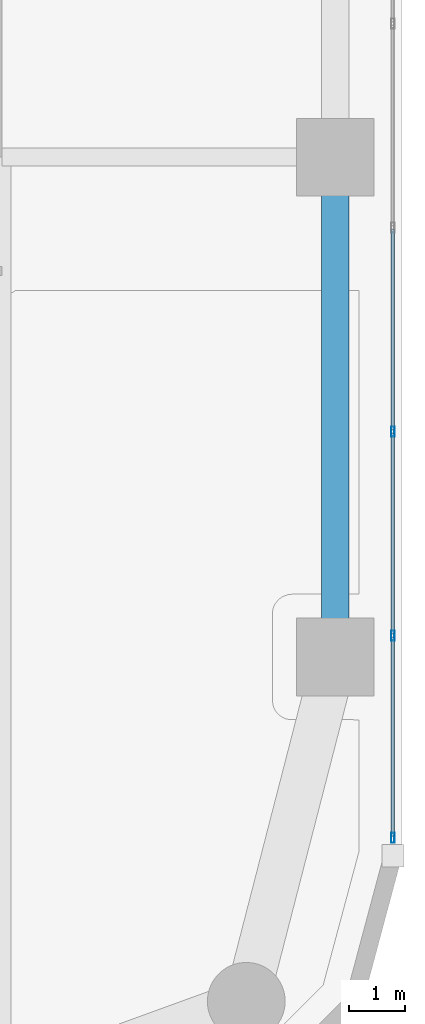
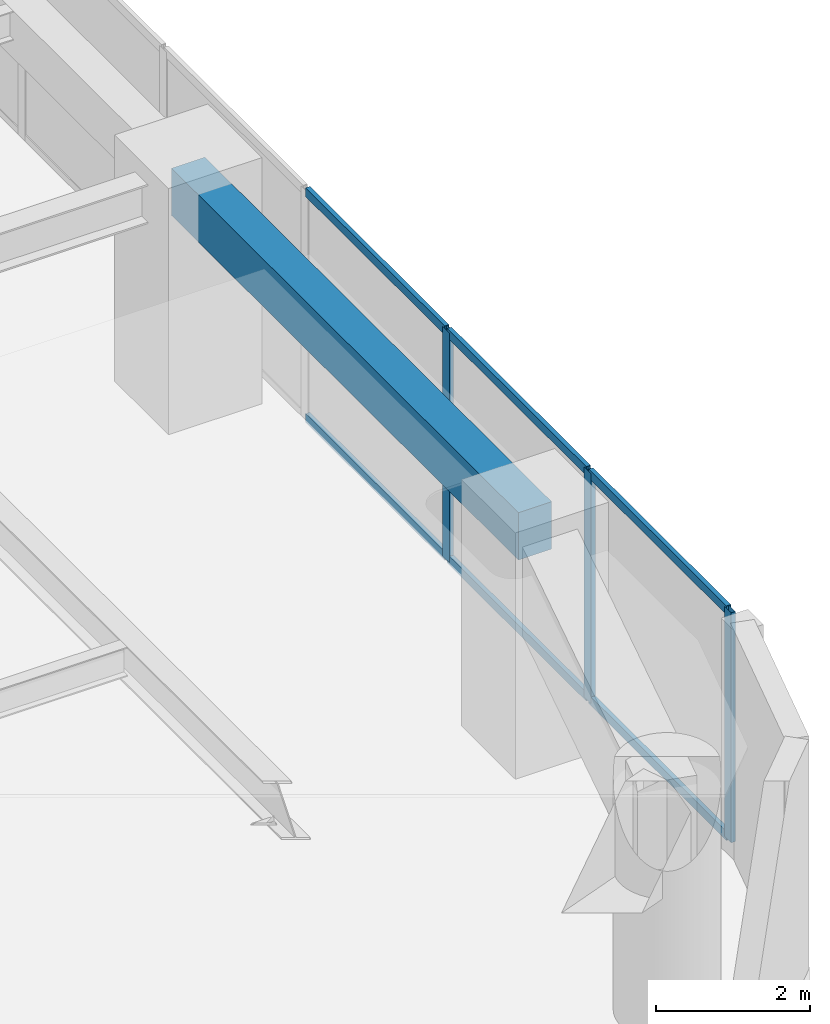
# One storey, part 4 of 24: 9 members, 1 beam, 1 element without a shape of its own.
"""IFC4 building model written with IfcOpenShell, lengths in metres."""

import ifcopenshell
import ifcopenshell.guid

model = None  # the IFC model being written
_history = None  # IfcOwnerHistory: only IFC2X3 demands one
_inside = {}  # id of a spatial element -> (the spatial element, [elements in it])
_under = {}  # id of a project, library or spatial element -> (it, [spatial elements below it])
_declared = {}  # id of a project -> (the project, [libraries it declares])
_typed = {}  # id of a type object -> (the type object, [elements of that type])
_made_of = {}  # id of a material, layer set ... -> (it, [elements and type objects made of it])


def new_model(schema):
    """Start an empty IFC model of exactly this schema.

    Asked for "IFC4X3", IfcOpenShell would pick the latest addendum, in which some entities
    have other attributes; the version numbers below select the first issue.
    IFC2X3 requires an IfcOwnerHistory on every rooted entity: one is made here for all.
    """
    global model, _history
    if schema == "IFC4X3":
        model = ifcopenshell.file(schema_version=(4, 3, 0, 0))
    else:
        model = ifcopenshell.file(schema=schema)
    _inside.clear()
    _under.clear()
    _declared.clear()
    _typed.clear()
    _made_of.clear()
    _history = None
    if model.schema == "IFC2X3":
        org = make("IfcOrganization", Name="unknown")
        user = make(
            "IfcPersonAndOrganization",
            ThePerson=make("IfcPerson", FamilyName="unknown"),
            TheOrganization=org,
        )
        app = make(
            "IfcApplication",
            ApplicationDeveloper=org,
            Version="unknown",
            ApplicationFullName="unknown",
            ApplicationIdentifier="unknown",
        )
        _history = make(
            "IfcOwnerHistory",
            OwningUser=user,
            OwningApplication=app,
            ChangeAction="ADDED",
            CreationDate=0,
        )
    return model


def make(cls, **values):
    """One entity of the class cls with the attributes given. An attribute that is None is left unset."""
    return model.create_entity(
        cls, **{name: value for name, value in values.items() if value is not None}
    )


def rooted(cls, **values):
    """An entity with a GlobalId (a new one), such as an element, a storey or a relation."""
    return make(cls, GlobalId=ifcopenshell.guid.new(), OwnerHistory=_history, **values)


def si_unit(unit_type, name, prefix=None):
    """IfcSIUnit, for example si_unit("LENGTHUNIT", "METRE", prefix="MILLI")."""
    return make("IfcSIUnit", UnitType=unit_type, Prefix=prefix, Name=name)


def assignment(units):
    """IfcUnitAssignment: the units of a project."""
    return None if units is None else make("IfcUnitAssignment", Units=units)


def point(xyz):
    """IfcCartesianPoint."""
    return None if xyz is None else make("IfcCartesianPoint", Coordinates=xyz)


def direction(xyz):
    """IfcDirection."""
    return None if xyz is None else make("IfcDirection", DirectionRatios=xyz)


def frame(location, z_axis=None, x_axis=None):
    """IfcAxis2Placement3D, a coordinate frame: its origin and axes. An axis left out is left unset."""
    return make(
        "IfcAxis2Placement3D",
        Location=point(location),
        Axis=direction(z_axis),
        RefDirection=direction(x_axis),
    )


def frame_2d(location, x_axis=None):
    """IfcAxis2Placement2D, a coordinate frame in the plane: its origin and x axis."""
    return make(
        "IfcAxis2Placement2D", Location=point(location), RefDirection=direction(x_axis)
    )


def origin():
    """The frame at (0, 0, 0) with its axes left unset."""
    return frame((0.0, 0.0, 0.0))


def origin_2d():
    """The frame at (0, 0) in the plane with its x axis left unset."""
    return frame_2d((0.0, 0.0))


def place(relative_to, where):
    """IfcLocalPlacement: puts the frame where relative to a parent placement (None: the world)."""
    return make(
        "IfcLocalPlacement", PlacementRelTo=relative_to, RelativePlacement=where
    )


def context(
    kind, dimensions, precision=None, world=None, true_north=None, identifier=None
):
    """IfcGeometricRepresentationContext, for example the 3D "Model" context."""
    return make(
        "IfcGeometricRepresentationContext",
        ContextIdentifier=identifier,
        ContextType=kind,
        CoordinateSpaceDimension=dimensions,
        Precision=precision,
        WorldCoordinateSystem=world,
        TrueNorth=true_north,
    )


def subcontext(parent, identifier, kind, view, scale=None):
    """IfcGeometricRepresentationSubContext, for example "Body" below "Model"."""
    return make(
        "IfcGeometricRepresentationSubContext",
        ContextIdentifier=identifier,
        ContextType=kind,
        ParentContext=parent,
        TargetScale=scale,
        TargetView=view,
    )


def project(units=None, contexts=None):
    """IfcProject with its units and contexts."""
    return rooted(
        "IfcProject",
        Name="project",
        RepresentationContexts=contexts,
        UnitsInContext=assignment(units),
    )


def spatial(cls, under=None, at=None, **own):
    """A site, building, storey or space (cls), placed at a placement, below another one or the project."""
    s = rooted(cls, ObjectPlacement=at, **own)
    if under is not None:
        _under.setdefault(under.id(), (under, []))[1].append(s)
    return s


def profile(cls, at=None, kind="AREA", **sizes):
    """A parametric profile (cls). Its sizes go by their IFC names, for example OverallWidth=200.0."""
    return make(cls, ProfileType=kind, Position=at, **sizes)


def rectangle(**sizes):
    """IfcRectangleProfileDef."""
    return profile("IfcRectangleProfileDef", **sizes)


def hollow_rectangle(**sizes):
    """IfcRectangleHollowProfileDef."""
    return profile("IfcRectangleHollowProfileDef", **sizes)


def extrude(swept, where, along, depth):
    """IfcExtrudedAreaSolid: the profile swept, set in the frame where, extruded along a direction by depth."""
    return make(
        "IfcExtrudedAreaSolid",
        SweptArea=swept,
        Position=where,
        ExtrudedDirection=direction(along),
        Depth=depth,
    )


def shape(context_of_items, identifier, shape_type, items):
    """IfcShapeRepresentation: the items that make up one representation, for example the "Body"."""
    return make(
        "IfcShapeRepresentation",
        ContextOfItems=context_of_items,
        RepresentationIdentifier=identifier,
        RepresentationType=shape_type,
        Items=items,
    )


def material(Name=None, Category=None):
    """IfcMaterial."""
    return make("IfcMaterial", Name=Name, Category=Category)


def layer(
    of_material, thickness, ventilated=None, Name=None, Category=None, Priority=None
):
    """IfcMaterialLayer: one layer of a wall or slab, of a material (None: an air gap)."""
    return make(
        "IfcMaterialLayer",
        Material=of_material,
        LayerThickness=thickness,
        IsVentilated=ventilated,
        Name=Name,
        Category=Category,
        Priority=Priority,
    )


def layer_set(layers, Name=None):
    """IfcMaterialLayerSet."""
    return make("IfcMaterialLayerSet", MaterialLayers=layers, LayerSetName=Name)


def material_profile(
    of_material, cross_section, Name=None, Category=None, Priority=None
):
    """IfcMaterialProfile: a cross section and its material."""
    return make(
        "IfcMaterialProfile",
        Name=Name,
        Material=of_material,
        Profile=cross_section,
        Priority=Priority,
        Category=Category,
    )


def profile_set(profiles, Name=None, composite=None):
    """IfcMaterialProfileSet."""
    return make(
        "IfcMaterialProfileSet",
        Name=Name,
        MaterialProfiles=profiles,
        CompositeProfile=composite,
    )


def made_of(thing, what):
    """Note that an element or type object is made of a material, layer set ...; save() writes the relation."""
    if what is not None:
        _made_of.setdefault(what.id(), (what, []))[1].append(thing)
    return thing


def type_object(cls, material=None, **own):
    """A type object (cls), such as IfcWallType, which elements share."""
    return made_of(rooted(cls, **own), material)


def element(
    cls,
    number,
    at=None,
    inside=None,
    cuts=None,
    type_object=None,
    material=None,
    context=None,
    identifier="Body",
    shape_type=None,
    held_by="IfcProductDefinitionShape",
    body=None,
    shapes=None,
    **own,
):
    """One element of the class cls, such as IfcWall. Its Tag is "e" and its number.

    at: its placement. inside: the storey or other place that contains it. cuts: it is an
    opening in that element (IfcRelVoidsElement). A single representation is given by context,
    identifier, shape_type and body (its items); several are given by shapes. held_by: the class
    of the entity that holds the representations. save() writes the other relations.
    """
    e = rooted(cls, Tag="e%d" % number, ObjectPlacement=at, **own)
    if body is not None:
        shapes = [shape(context, identifier, shape_type, body)]
    if shapes is not None:
        e.Representation = make(held_by, Representations=shapes)
    if inside is not None:
        _inside.setdefault(inside.id(), (inside, []))[1].append(e)
    if cuts is not None:
        rooted(
            "IfcRelVoidsElement", RelatingBuildingElement=cuts, RelatedOpeningElement=e
        )
    if type_object is not None:
        _typed.setdefault(type_object.id(), (type_object, []))[1].append(e)
    return made_of(e, material)


def aggregate(whole, parts):
    """IfcRelAggregates: a whole, such as a stair, and the parts it consists of."""
    return rooted("IfcRelAggregates", RelatingObject=whole, RelatedObjects=parts)


def save(model, path):
    """Write the relations noted so far, then the file.

    IfcRelAggregates (storeys below a building ...), IfcRelContainedInSpatialStructure (elements
    in a storey), IfcRelDefinesByType, IfcRelAssociatesMaterial and IfcRelDeclares: one each for
    every whole, place, type object, material and project.
    """
    for whole, parts in _under.values():
        aggregate(whole, parts)
    for where, things in _inside.values():
        rooted(
            "IfcRelContainedInSpatialStructure",
            RelatedElements=things,
            RelatingStructure=where,
        )
    for kind, things in _typed.values():
        rooted("IfcRelDefinesByType", RelatedObjects=things, RelatingType=kind)
    for what, things in _made_of.values():
        rooted("IfcRelAssociatesMaterial", RelatedObjects=things, RelatingMaterial=what)
    for by, libraries in _declared.values():
        rooted("IfcRelDeclares", RelatingContext=by, RelatedDefinitions=libraries)
    model.write(path)


model = new_model("IFC4")

# Units and contexts
model_context = context("Model", 3, precision=1e-05, world=origin(), true_north=direction((0.0, 1.0)))
body_context = subcontext(model_context, "Body", "Model", "MODEL_VIEW")
ifc_project = project(units=[si_unit("LENGTHUNIT", "METRE"), si_unit("AREAUNIT", "SQUARE_METRE"), si_unit("VOLUMEUNIT", "CUBIC_METRE"), si_unit("PLANEANGLEUNIT", "RADIAN"), si_unit("MASSUNIT", "GRAM", prefix="KILO")], contexts=[model_context])

# Site, building, storey
site_placement = place(None, origin())
site = spatial("IfcSite", under=ifc_project, at=site_placement, CompositionType="ELEMENT")
building_placement = place(site_placement, origin())
building = spatial("IfcBuilding", under=site, at=building_placement, Name="Kiyonajd Concourse Tower", CompositionType="ELEMENT")
storey_placement = place(building_placement, frame((0.0, 0.0, 137.699951171875)))
storey = spatial("IfcBuildingStorey", under=building, at=storey_placement, Name="L35", CompositionType="ELEMENT", Elevation=137.699951171875)

# Beam
ifc_material_1 = material(Name="Precast concrete C50/60", Category="concrete")
ifc_material_profile_1 = material_profile(ifc_material_1, rectangle(XDim=0.5, YDim=0.75, at=origin_2d()), Name="RCBM-500x750")
ifc_profile_set_1 = profile_set([ifc_material_profile_1], Name="Precast concrete C50/60")
beam_type = type_object("IfcBeamType", Name="BM-SPAN-RC", PredefinedType="SPANDREL", material=ifc_profile_set_1)
beam_placement = place(storey_placement, frame((69.60009765625, 18.60009765625, 3.26513671875), z_axis=(0.0, 1.0, 0.0), x_axis=(-1.0, 0.0, 0.0)))
element("IfcBeam", 1, at=beam_placement, inside=storey, type_object=beam_type, Name="L35 Perimeter Bundled Tube Spandrel", PredefinedType="SPANDREL", context=body_context, shape_type="SweptSolid", body=[
    extrude(rectangle(XDim=0.5, YDim=0.75, at=origin_2d()), origin(), (0.0, 0.0, 1.0), 9.0),
])

# Curtain wall, members
ifc_material_2 = material(Name="Thermally Broken Anodised Aluminium", Category="aluminium")
ifc_layer = layer(ifc_material_2, 0.179931640625)
ifc_layer_set = layer_set([ifc_layer], Name="Thermally Broken Anodised Aluminium")
curtain_wall_type = type_object("IfcCurtainWallType", Name="CW-SYS-03", PredefinedType="NOTDEFINED", material=ifc_layer_set)
curtain_wall_placement = place(storey_placement, origin())
curtain_wall = element("IfcCurtainWall", 2, at=curtain_wall_placement, inside=storey, type_object=curtain_wall_type, Name="L35 Unitised Curtain Wall CW3", PredefinedType="NOTDEFINED")
ifc_material_profile_2 = material_profile(ifc_material_2, hollow_rectangle(XDim=0.06494140625, YDim=0.179931640625, WallThickness=0.00390625, at=origin_2d()), Name="MULL-65x180")
ifc_profile_set_2 = profile_set([ifc_material_profile_2], Name="Thermally Broken Anodised Aluminium")
member_type_1 = type_object("IfcMemberType", Name="MB-CW-MULL1", PredefinedType="MULLION", material=ifc_profile_set_2)
member_1_placement = place(storey_placement, frame((70.639892578125, 22.657470703125, 0.0), z_axis=(0.0, 0.0, 1.0), x_axis=(1.0, 0.0, 0.0)))
member_1 = element("IfcMember", 3, at=member_1_placement, type_object=member_type_1, Name="CW3 mullion 5", PredefinedType="MULLION", context=body_context, shape_type="SweptSolid", body=[
    extrude(hollow_rectangle(XDim=0.06494140625, YDim=0.179931640625, WallThickness=0.00390625, at=origin_2d()), origin(), (0.0, 0.0, 1.0), 3.64013671875),
])
member_2_placement = place(storey_placement, frame((70.639892578125, 18.984130859375, 0.0), z_axis=(0.0, 0.0, 1.0), x_axis=(1.0, 0.0, 0.0)))
member_2 = element("IfcMember", 4, at=member_2_placement, type_object=member_type_1, Name="CW3 mullion 6", PredefinedType="MULLION", context=body_context, shape_type="SweptSolid", body=[
    extrude(hollow_rectangle(XDim=0.06494140625, YDim=0.179931640625, WallThickness=0.00390625, at=origin_2d()), origin(), (0.0, 0.0, 1.0), 3.64013671875),
])
member_3_placement = place(storey_placement, frame((70.639892578125, 15.343505859375, 0.0), z_axis=(0.0, 0.0, 1.0), x_axis=(1.0, 0.0, 0.0)))
member_3 = element("IfcMember", 5, at=member_3_placement, type_object=member_type_1, Name="CW3 mullion 7", PredefinedType="MULLION", context=body_context, shape_type="SweptSolid", body=[
    extrude(hollow_rectangle(XDim=0.06494140625, YDim=0.179931640625, WallThickness=0.00390625, at=origin_2d()), origin(), (0.0, 0.0, 1.0), 3.64013671875),
])
ifc_material_profile_3 = material_profile(ifc_material_2, hollow_rectangle(XDim=0.06494140625, YDim=0.139892578125, WallThickness=0.00390625, at=origin_2d()), Name="TRAN-65x140")
ifc_profile_set_3 = profile_set([ifc_material_profile_3], Name="Thermally Broken Anodised Aluminium")
member_type_2 = type_object("IfcMemberType", Name="MB-CW-TRAN1", PredefinedType="USERDEFINED", material=ifc_profile_set_3)
member_4_placement = place(storey_placement, frame((70.639892578125, 26.298095703125, 0.032470703125), z_axis=(0.0, -1.0, 0.0), x_axis=(1.0, 0.0, 0.0)))
member_4 = element("IfcMember", 6, at=member_4_placement, type_object=member_type_2, Name="CW3 transom 4.1", ObjectType="TRANSOM", PredefinedType="USERDEFINED", context=body_context, shape_type="SweptSolid", body=[
    extrude(hollow_rectangle(XDim=0.06494140625, YDim=0.139892578125, WallThickness=0.00390625, at=origin_2d()), origin(), (0.0, 0.0, 1.0), 3.608154296875),
])
member_5_placement = place(storey_placement, frame((70.639892578125, 26.298095703125, 3.607666015625), z_axis=(0.0, -1.0, 0.0), x_axis=(1.0, 0.0, 0.0)))
member_5 = element("IfcMember", 7, at=member_5_placement, type_object=member_type_2, Name="CW3 transom 4.2", ObjectType="TRANSOM", PredefinedType="USERDEFINED", context=body_context, shape_type="SweptSolid", body=[
    extrude(hollow_rectangle(XDim=0.06494140625, YDim=0.139892578125, WallThickness=0.00390625, at=origin_2d()), origin(), (0.0, 0.0, 1.0), 3.608154296875),
])
member_6_placement = place(storey_placement, frame((70.639892578125, 22.625, 0.032470703125), z_axis=(0.0, -1.0, 0.0), x_axis=(1.0, 0.0, 0.0)))
member_6 = element("IfcMember", 8, at=member_6_placement, type_object=member_type_2, Name="CW3 transom 5.1", ObjectType="TRANSOM", PredefinedType="USERDEFINED", context=body_context, shape_type="SweptSolid", body=[
    extrude(hollow_rectangle(XDim=0.06494140625, YDim=0.139892578125, WallThickness=0.00390625, at=origin_2d()), origin(), (0.0, 0.0, 1.0), 3.608154296875),
])
member_7_placement = place(storey_placement, frame((70.639892578125, 22.625, 3.607666015625), z_axis=(0.0, -1.0, 0.0), x_axis=(1.0, 0.0, 0.0)))
member_7 = element("IfcMember", 9, at=member_7_placement, type_object=member_type_2, Name="CW3 transom 5.2", ObjectType="TRANSOM", PredefinedType="USERDEFINED", context=body_context, shape_type="SweptSolid", body=[
    extrude(hollow_rectangle(XDim=0.06494140625, YDim=0.139892578125, WallThickness=0.00390625, at=origin_2d()), origin(), (0.0, 0.0, 1.0), 3.608154296875),
])
member_8_placement = place(storey_placement, frame((70.639892578125, 18.95166015625, 0.032470703125), z_axis=(0.0, -1.0, 0.0), x_axis=(1.0, 0.0, 0.0)))
member_8 = element("IfcMember", 10, at=member_8_placement, type_object=member_type_2, Name="CW3 transom 6.1", ObjectType="TRANSOM", PredefinedType="USERDEFINED", context=body_context, shape_type="SweptSolid", body=[
    extrude(hollow_rectangle(XDim=0.06494140625, YDim=0.139892578125, WallThickness=0.00390625, at=origin_2d()), origin(), (0.0, 0.0, 1.0), 3.575439453125),
])
member_9_placement = place(storey_placement, frame((70.639892578125, 18.95166015625, 3.607666015625), z_axis=(0.0, -1.0, 0.0), x_axis=(1.0, 0.0, 0.0)))
member_9 = element("IfcMember", 11, at=member_9_placement, type_object=member_type_2, Name="CW3 transom 6.2", ObjectType="TRANSOM", PredefinedType="USERDEFINED", context=body_context, shape_type="SweptSolid", body=[
    extrude(hollow_rectangle(XDim=0.06494140625, YDim=0.139892578125, WallThickness=0.00390625, at=origin_2d()), origin(), (0.0, 0.0, 1.0), 3.575439453125),
])
aggregate(curtain_wall, [member_1, member_2, member_3, member_4, member_5, member_6, member_7, member_8, member_9])

save(model, "model.ifc")
